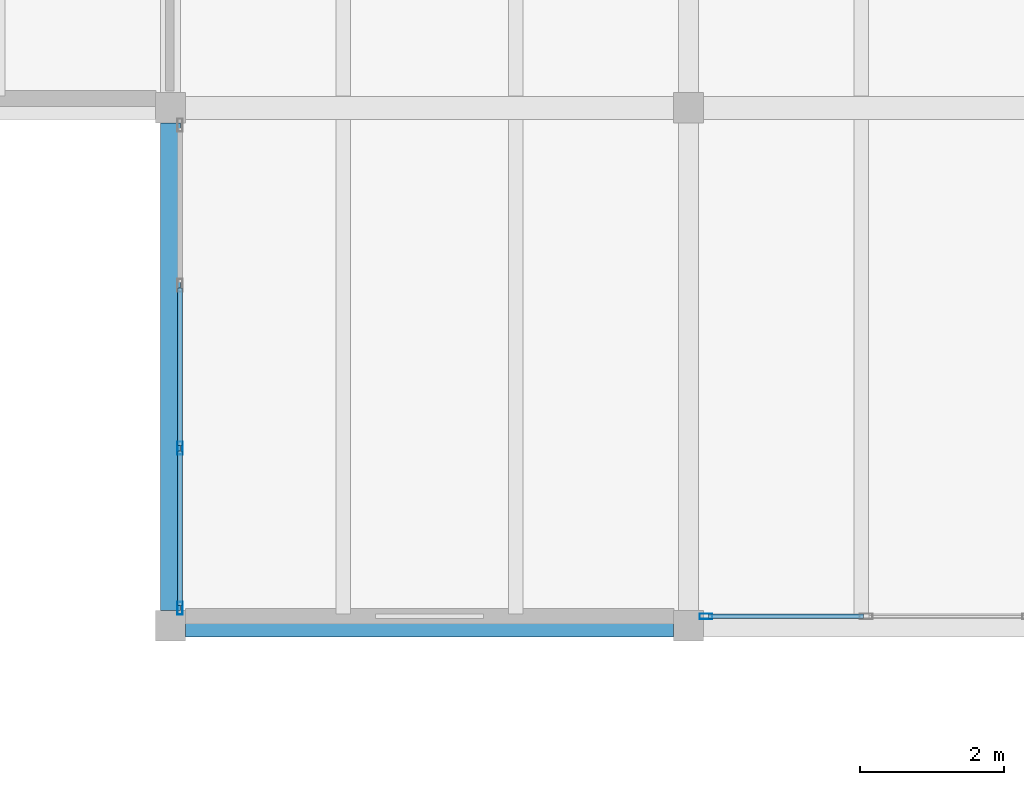
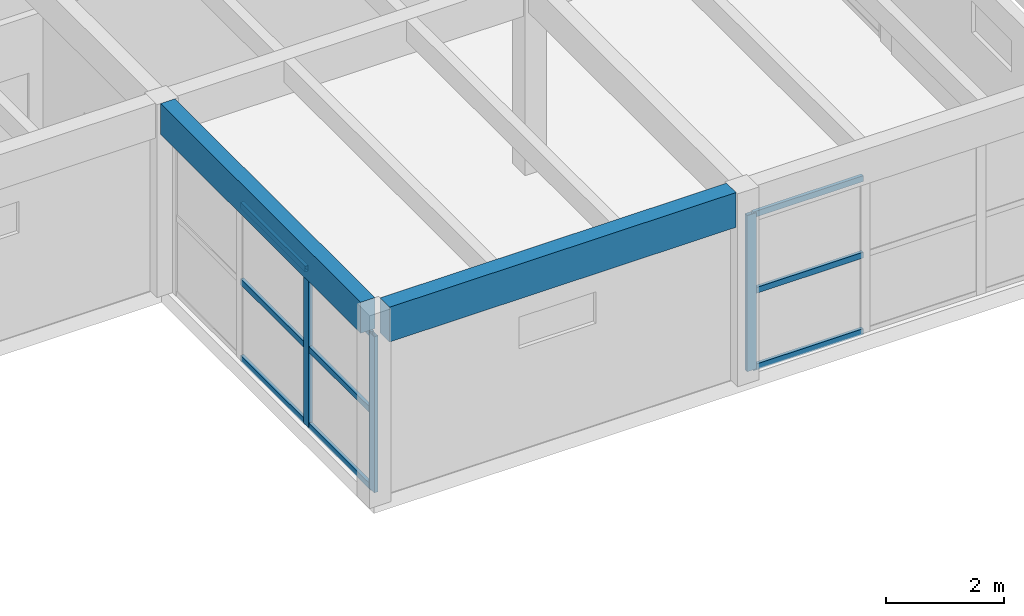
# One storey, part 40 of 68: 12 members, 2 beams, 2 elements without a shape of their own.
"""IFC4 building model written with IfcOpenShell, lengths in metres."""

from ifc_helpers import new_model, si_unit, direction, frame, origin, origin_2d, place, context, subcontext, project, spatial, rectangle, hollow_rectangle, extrude, material, material_profile, profile_set, type_object, element, aggregate, save


model = new_model("IFC4")

# Units and contexts
model_context = context("Model", 3, precision=1e-05, world=origin(), true_north=direction((0.0, 1.0)))
body_context = subcontext(model_context, "Body", "Model", "MODEL_VIEW")
ifc_project = project(units=[si_unit("LENGTHUNIT", "METRE"), si_unit("AREAUNIT", "SQUARE_METRE"), si_unit("VOLUMEUNIT", "CUBIC_METRE"), si_unit("PLANEANGLEUNIT", "RADIAN"), si_unit("MASSUNIT", "GRAM", prefix="KILO")], contexts=[model_context])

# Site, building, storey
site_placement = place(None, origin())
site = spatial("IfcSite", under=ifc_project, at=site_placement, CompositionType="ELEMENT")
building_placement = place(site_placement, origin())
building = spatial("IfcBuilding", under=site, at=building_placement, Name="Bramvelor Terrace Health Centre", CompositionType="ELEMENT")
storey_placement = place(building_placement, frame((0.0, 0.0, 9.300048828125)))
storey = spatial("IfcBuildingStorey", under=building, at=storey_placement, Name="L03", CompositionType="ELEMENT", Elevation=9.300048828125)

# Beams
ifc_material_1 = material(Name="Glulam GL28h", Category="wood")
ifc_material_profile_1 = material_profile(ifc_material_1, rectangle(XDim=0.280029296875, YDim=0.639892578125, at=origin_2d()), Name="GL 280x640")
ifc_profile_set_1 = profile_set([ifc_material_profile_1], Name="Glulam GL28h")
beam_type_1 = type_object("IfcBeamType", Name="BM-GL-G640", PredefinedType="BEAM", material=ifc_profile_set_1)
beam_1_placement = place(storey_placement, frame((151.199951171875, 43.409912109375, 3.669921875), z_axis=(0.0, 1.0, 0.0), x_axis=(-1.0, 0.0, 0.0)))
element("IfcBeam", 1, at=beam_1_placement, inside=storey, type_object=beam_type_1, Name="L03 Floor Girder", PredefinedType="BEAM", context=body_context, shape_type="SweptSolid", body=[
    extrude(rectangle(XDim=0.280029296875, YDim=0.639892578125, at=origin_2d()), origin(), (0.0, 0.0, 1.0), 6.780029296875),
])
ifc_material_2 = material(Name="Glulam GL28h", Category="wood")
ifc_material_profile_2 = material_profile(ifc_material_2, rectangle(XDim=0.320068359375, YDim=0.719970703125, at=origin_2d()), Name="GL 320x720")
ifc_profile_set_2 = profile_set([ifc_material_profile_2], Name="Glulam GL28h")
beam_type_2 = type_object("IfcBeamType", Name="BM-GL-G720", PredefinedType="BEAM", material=ifc_profile_set_2)
beam_2_placement = place(storey_placement, frame((151.409912109375, 43.199951171875, 3.6298828125), z_axis=(1.0, 0.0, 0.0), x_axis=(0.0, 1.0, 0.0)))
element("IfcBeam", 2, at=beam_2_placement, inside=storey, type_object=beam_type_2, Name="L03 Floor Girder", PredefinedType="BEAM", context=body_context, shape_type="SweptSolid", body=[
    extrude(rectangle(XDim=0.320068359375, YDim=0.719970703125, at=origin_2d()), origin(), (0.0, 0.0, 1.0), 6.780029296875),
])

# Curtain wall, member
ifc_material_3 = material(Name="Anodized aluminium and double low-E glass", Category="aluminium")
curtain_wall_type = type_object("IfcCurtainWallType", Name="CW-SYS-27", PredefinedType="NOTDEFINED", material=ifc_material_3)
curtain_wall_1_placement = place(storey_placement, origin())
curtain_wall_1 = element("IfcCurtainWall", 3, at=curtain_wall_1_placement, inside=storey, type_object=curtain_wall_type, Name="L03 Unitized Curtain Wall 168", PredefinedType="NOTDEFINED")
ifc_material_4 = material(Name="Anodized aluminium 6063-T6", Category="aluminium")
ifc_material_profile_3 = material_profile(ifc_material_4, hollow_rectangle(XDim=0.074951171875, YDim=0.179931640625, WallThickness=0.00341796875, at=origin_2d()), Name="ALU-MUL 75x180x3.5")
ifc_profile_set_3 = profile_set([ifc_material_profile_3], Name="Anodized aluminium 6063-T6")
member_type_1 = type_object("IfcMemberType", Name="CW-MUL-65x180", PredefinedType="MULLION", material=ifc_profile_set_3)
member_1_placement = place(storey_placement, frame((158.642578125, 43.330078125, 0.0), z_axis=(0.0, 0.0, 1.0), x_axis=(0.0, -1.0, 0.0)))
member_1 = element("IfcMember", 4, at=member_1_placement, type_object=member_type_1, Name="CW-27 mullion 4", PredefinedType="MULLION", context=body_context, shape_type="SweptSolid", body=[
    extrude(hollow_rectangle(XDim=0.074951171875, YDim=0.179931640625, WallThickness=0.00341796875, at=origin_2d()), origin(), (0.0, 0.0, 1.0), 3.22998046875),
])

# Curtain wall, members
curtain_wall_2_placement = place(storey_placement, origin())
curtain_wall_2 = element("IfcCurtainWall", 5, at=curtain_wall_2_placement, inside=storey, type_object=curtain_wall_type, Name="L03 Unitized Curtain Wall 169", PredefinedType="NOTDEFINED")
member_2_placement = place(storey_placement, frame((151.330078125, 43.4423828125, 0.0), z_axis=(0.0, 0.0, 1.0), x_axis=(-1.0, 0.0, 0.0)))
member_2 = element("IfcMember", 6, at=member_2_placement, type_object=member_type_1, Name="CW-27 mullion 1", PredefinedType="MULLION", context=body_context, shape_type="SweptSolid", body=[
    extrude(hollow_rectangle(XDim=0.074951171875, YDim=0.179931640625, WallThickness=0.00341796875, at=origin_2d()), origin(), (0.0, 0.0, 1.0), 3.22998046875),
])
member_3_placement = place(storey_placement, frame((151.330078125, 45.668212890625, 0.0), z_axis=(0.0, 0.0, 1.0), x_axis=(-1.0, 0.0, 0.0)))
member_3 = element("IfcMember", 7, at=member_3_placement, type_object=member_type_1, Name="CW-27 mullion 2", PredefinedType="MULLION", context=body_context, shape_type="SweptSolid", body=[
    extrude(hollow_rectangle(XDim=0.074951171875, YDim=0.179931640625, WallThickness=0.00341796875, at=origin_2d()), origin(), (0.0, 0.0, 1.0), 3.22998046875),
])

# Member
ifc_material_5 = material(Name="Anodized aluminium 6063-T6", Category="aluminium")
ifc_material_profile_4 = material_profile(ifc_material_5, hollow_rectangle(XDim=0.06494140625, YDim=0.1201171875, WallThickness=0.0029296875, at=origin_2d()), Name="ALU-TRN 65x120x3.0")
ifc_profile_set_4 = profile_set([ifc_material_profile_4], Name="Anodized aluminium 6063-T6")
member_type_2 = type_object("IfcMemberType", Name="CW-TRN-65x150", PredefinedType="USERDEFINED", material=ifc_profile_set_4)
member_4_placement = place(storey_placement, frame((160.830810546875, 43.330078125, 0.032470703125), z_axis=(-1.0, 0.0, 0.0), x_axis=(0.0, -1.0, 0.0)))
member_4 = element("IfcMember", 8, at=member_4_placement, type_object=member_type_2, Name="CW-27 transom 3.1", ObjectType="TRANSOM", PredefinedType="USERDEFINED", context=body_context, shape_type="SweptSolid", body=[
    extrude(hollow_rectangle(XDim=0.06494140625, YDim=0.1201171875, WallThickness=0.0029296875, at=origin_2d()), origin(), (0.0, 0.0, 1.0), 2.15087890625),
])

member_5_placement = place(storey_placement, frame((160.830810546875, 43.330078125, 1.614990234375), z_axis=(-1.0, 0.0, 0.0), x_axis=(0.0, -1.0, 0.0)))
member_5 = element("IfcMember", 9, at=member_5_placement, type_object=member_type_2, Name="CW-27 transom 3.2", ObjectType="TRANSOM", PredefinedType="USERDEFINED", context=body_context, shape_type="SweptSolid", body=[
    extrude(hollow_rectangle(XDim=0.06494140625, YDim=0.1201171875, WallThickness=0.0029296875, at=origin_2d()), origin(), (0.0, 0.0, 1.0), 2.15087890625),
])

member_6_placement = place(storey_placement, frame((160.830810546875, 43.330078125, 3.197509765625), z_axis=(-1.0, 0.0, 0.0), x_axis=(0.0, -1.0, 0.0)))
member_6 = element("IfcMember", 10, at=member_6_placement, type_object=member_type_2, Name="CW-27 transom 3.3", ObjectType="TRANSOM", PredefinedType="USERDEFINED", context=body_context, shape_type="SweptSolid", body=[
    extrude(hollow_rectangle(XDim=0.06494140625, YDim=0.1201171875, WallThickness=0.0029296875, at=origin_2d()), origin(), (0.0, 0.0, 1.0), 2.15087890625),
])

aggregate(curtain_wall_1, [member_1, member_4, member_5, member_6])

member_7_placement = place(storey_placement, frame((151.330078125, 43.47998046875, 0.032470703125), z_axis=(0.0, 1.0, 0.0), x_axis=(-1.0, 0.0, 0.0)))
member_7 = element("IfcMember", 11, at=member_7_placement, type_object=member_type_2, Name="CW-27 transom 1.1", ObjectType="TRANSOM", PredefinedType="USERDEFINED", context=body_context, shape_type="SweptSolid", body=[
    extrude(hollow_rectangle(XDim=0.06494140625, YDim=0.1201171875, WallThickness=0.0029296875, at=origin_2d()), origin(), (0.0, 0.0, 1.0), 2.15087890625),
])

member_8_placement = place(storey_placement, frame((151.330078125, 43.47998046875, 1.614990234375), z_axis=(0.0, 1.0, 0.0), x_axis=(-1.0, 0.0, 0.0)))
member_8 = element("IfcMember", 12, at=member_8_placement, type_object=member_type_2, Name="CW-27 transom 1.2", ObjectType="TRANSOM", PredefinedType="USERDEFINED", context=body_context, shape_type="SweptSolid", body=[
    extrude(hollow_rectangle(XDim=0.06494140625, YDim=0.1201171875, WallThickness=0.0029296875, at=origin_2d()), origin(), (0.0, 0.0, 1.0), 2.15087890625),
])

member_9_placement = place(storey_placement, frame((151.330078125, 43.47998046875, 3.197509765625), z_axis=(0.0, 1.0, 0.0), x_axis=(-1.0, 0.0, 0.0)))
member_9 = element("IfcMember", 13, at=member_9_placement, type_object=member_type_2, Name="CW-27 transom 1.3", ObjectType="TRANSOM", PredefinedType="USERDEFINED", context=body_context, shape_type="SweptSolid", body=[
    extrude(hollow_rectangle(XDim=0.06494140625, YDim=0.1201171875, WallThickness=0.0029296875, at=origin_2d()), origin(), (0.0, 0.0, 1.0), 2.15087890625),
])

member_10_placement = place(storey_placement, frame((151.330078125, 45.705810546875, 0.032470703125), z_axis=(0.0, 1.0, 0.0), x_axis=(-1.0, 0.0, 0.0)))
member_10 = element("IfcMember", 14, at=member_10_placement, type_object=member_type_2, Name="CW-27 transom 2.1", ObjectType="TRANSOM", PredefinedType="USERDEFINED", context=body_context, shape_type="SweptSolid", body=[
    extrude(hollow_rectangle(XDim=0.06494140625, YDim=0.1201171875, WallThickness=0.0029296875, at=origin_2d()), origin(), (0.0, 0.0, 1.0), 2.1884765625),
])

member_11_placement = place(storey_placement, frame((151.330078125, 45.705810546875, 1.614990234375), z_axis=(0.0, 1.0, 0.0), x_axis=(-1.0, 0.0, 0.0)))
member_11 = element("IfcMember", 15, at=member_11_placement, type_object=member_type_2, Name="CW-27 transom 2.2", ObjectType="TRANSOM", PredefinedType="USERDEFINED", context=body_context, shape_type="SweptSolid", body=[
    extrude(hollow_rectangle(XDim=0.06494140625, YDim=0.1201171875, WallThickness=0.0029296875, at=origin_2d()), origin(), (0.0, 0.0, 1.0), 2.1884765625),
])

member_12_placement = place(storey_placement, frame((151.330078125, 45.705810546875, 3.197509765625), z_axis=(0.0, 1.0, 0.0), x_axis=(-1.0, 0.0, 0.0)))
member_12 = element("IfcMember", 16, at=member_12_placement, type_object=member_type_2, Name="CW-27 transom 2.3", ObjectType="TRANSOM", PredefinedType="USERDEFINED", context=body_context, shape_type="SweptSolid", body=[
    extrude(hollow_rectangle(XDim=0.06494140625, YDim=0.1201171875, WallThickness=0.0029296875, at=origin_2d()), origin(), (0.0, 0.0, 1.0), 2.1884765625),
])

aggregate(curtain_wall_2, [member_2, member_3, member_7, member_8, member_9, member_10, member_11, member_12])

save(model, "model.ifc")
